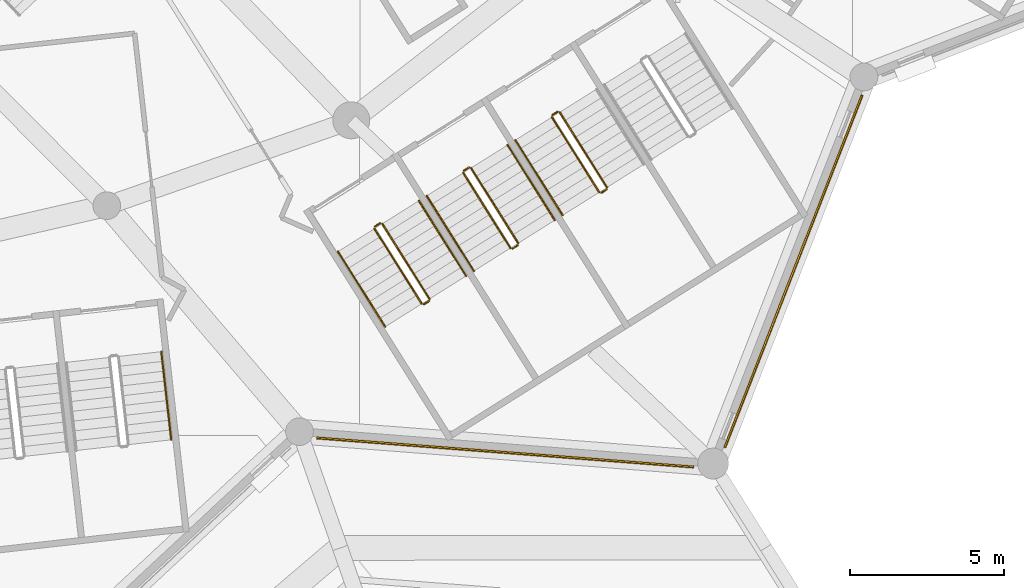
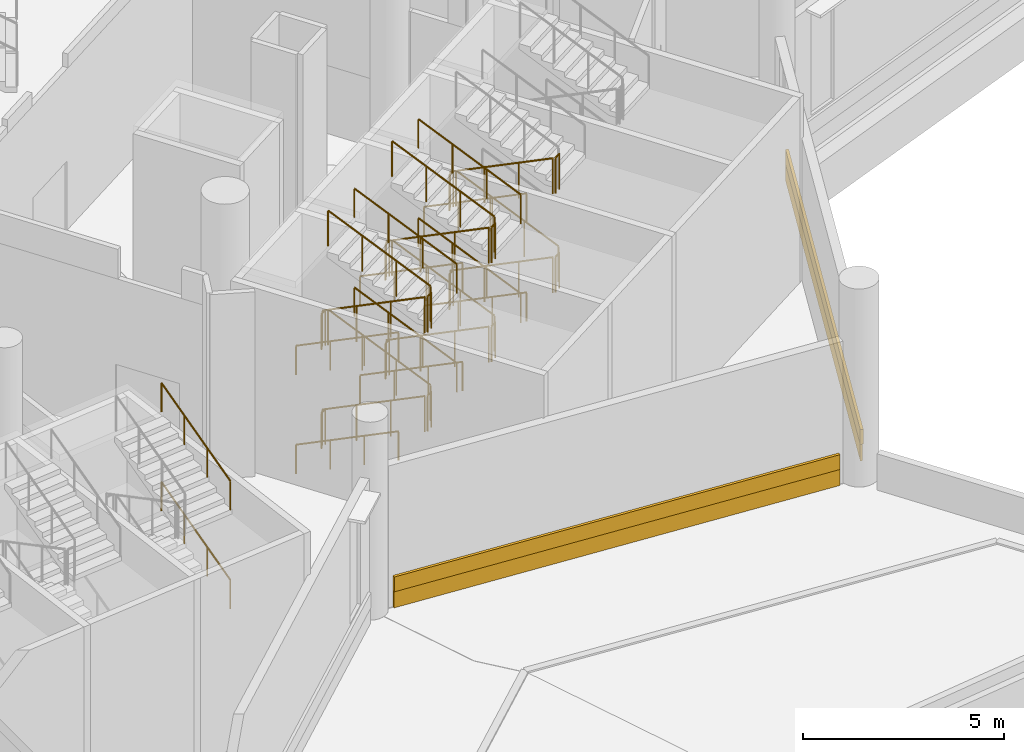
# One storey, part 131 of 173: 35 railings, 4 coverings.
"""IFC4 building model written with IfcOpenShell, lengths in metres."""

import ifcopenshell
import ifcopenshell.guid

model = None  # the IFC model being written
_history = None  # IfcOwnerHistory: only IFC2X3 demands one
_inside = {}  # id of a spatial element -> (the spatial element, [elements in it])
_under = {}  # id of a project, library or spatial element -> (it, [spatial elements below it])
_declared = {}  # id of a project -> (the project, [libraries it declares])
_typed = {}  # id of a type object -> (the type object, [elements of that type])
_made_of = {}  # id of a material, layer set ... -> (it, [elements and type objects made of it])


def new_model(schema):
    """Start an empty IFC model of exactly this schema.

    Asked for "IFC4X3", IfcOpenShell would pick the latest addendum, in which some entities
    have other attributes; the version numbers below select the first issue.
    IFC2X3 requires an IfcOwnerHistory on every rooted entity: one is made here for all.
    """
    global model, _history
    if schema == "IFC4X3":
        model = ifcopenshell.file(schema_version=(4, 3, 0, 0))
    else:
        model = ifcopenshell.file(schema=schema)
    _inside.clear()
    _under.clear()
    _declared.clear()
    _typed.clear()
    _made_of.clear()
    _history = None
    if model.schema == "IFC2X3":
        org = make("IfcOrganization", Name="unknown")
        user = make(
            "IfcPersonAndOrganization",
            ThePerson=make("IfcPerson", FamilyName="unknown"),
            TheOrganization=org,
        )
        app = make(
            "IfcApplication",
            ApplicationDeveloper=org,
            Version="unknown",
            ApplicationFullName="unknown",
            ApplicationIdentifier="unknown",
        )
        _history = make(
            "IfcOwnerHistory",
            OwningUser=user,
            OwningApplication=app,
            ChangeAction="ADDED",
            CreationDate=0,
        )
    return model


def make(cls, **values):
    """One entity of the class cls with the attributes given. An attribute that is None is left unset."""
    return model.create_entity(
        cls, **{name: value for name, value in values.items() if value is not None}
    )


def rooted(cls, **values):
    """An entity with a GlobalId (a new one), such as an element, a storey or a relation."""
    return make(cls, GlobalId=ifcopenshell.guid.new(), OwnerHistory=_history, **values)


def si_unit(unit_type, name, prefix=None):
    """IfcSIUnit, for example si_unit("LENGTHUNIT", "METRE", prefix="MILLI")."""
    return make("IfcSIUnit", UnitType=unit_type, Prefix=prefix, Name=name)


def assignment(units):
    """IfcUnitAssignment: the units of a project."""
    return None if units is None else make("IfcUnitAssignment", Units=units)


def point(xyz):
    """IfcCartesianPoint."""
    return None if xyz is None else make("IfcCartesianPoint", Coordinates=xyz)


def direction(xyz):
    """IfcDirection."""
    return None if xyz is None else make("IfcDirection", DirectionRatios=xyz)


def frame(location, z_axis=None, x_axis=None):
    """IfcAxis2Placement3D, a coordinate frame: its origin and axes. An axis left out is left unset."""
    return make(
        "IfcAxis2Placement3D",
        Location=point(location),
        Axis=direction(z_axis),
        RefDirection=direction(x_axis),
    )


def frame_2d(location, x_axis=None):
    """IfcAxis2Placement2D, a coordinate frame in the plane: its origin and x axis."""
    return make(
        "IfcAxis2Placement2D", Location=point(location), RefDirection=direction(x_axis)
    )


def origin():
    """The frame at (0, 0, 0) with its axes left unset."""
    return frame((0.0, 0.0, 0.0))


def origin_2d():
    """The frame at (0, 0) in the plane with its x axis left unset."""
    return frame_2d((0.0, 0.0))


def place(relative_to, where):
    """IfcLocalPlacement: puts the frame where relative to a parent placement (None: the world)."""
    return make(
        "IfcLocalPlacement", PlacementRelTo=relative_to, RelativePlacement=where
    )


def context(
    kind, dimensions, precision=None, world=None, true_north=None, identifier=None
):
    """IfcGeometricRepresentationContext, for example the 3D "Model" context."""
    return make(
        "IfcGeometricRepresentationContext",
        ContextIdentifier=identifier,
        ContextType=kind,
        CoordinateSpaceDimension=dimensions,
        Precision=precision,
        WorldCoordinateSystem=world,
        TrueNorth=true_north,
    )


def subcontext(parent, identifier, kind, view, scale=None):
    """IfcGeometricRepresentationSubContext, for example "Body" below "Model"."""
    return make(
        "IfcGeometricRepresentationSubContext",
        ContextIdentifier=identifier,
        ContextType=kind,
        ParentContext=parent,
        TargetScale=scale,
        TargetView=view,
    )


def project(units=None, contexts=None):
    """IfcProject with its units and contexts."""
    return rooted(
        "IfcProject",
        Name="project",
        RepresentationContexts=contexts,
        UnitsInContext=assignment(units),
    )


def spatial(cls, under=None, at=None, **own):
    """A site, building, storey or space (cls), placed at a placement, below another one or the project."""
    s = rooted(cls, ObjectPlacement=at, **own)
    if under is not None:
        _under.setdefault(under.id(), (under, []))[1].append(s)
    return s


def profile(cls, at=None, kind="AREA", **sizes):
    """A parametric profile (cls). Its sizes go by their IFC names, for example OverallWidth=200.0."""
    return make(cls, ProfileType=kind, Position=at, **sizes)


def rectangle(**sizes):
    """IfcRectangleProfileDef."""
    return profile("IfcRectangleProfileDef", **sizes)


def circle(**sizes):
    """IfcCircleProfileDef."""
    return profile("IfcCircleProfileDef", **sizes)


def extrude(swept, where, along, depth):
    """IfcExtrudedAreaSolid: the profile swept, set in the frame where, extruded along a direction by depth."""
    return make(
        "IfcExtrudedAreaSolid",
        SweptArea=swept,
        Position=where,
        ExtrudedDirection=direction(along),
        Depth=depth,
    )


def shape(context_of_items, identifier, shape_type, items):
    """IfcShapeRepresentation: the items that make up one representation, for example the "Body"."""
    return make(
        "IfcShapeRepresentation",
        ContextOfItems=context_of_items,
        RepresentationIdentifier=identifier,
        RepresentationType=shape_type,
        Items=items,
    )


def material(Name=None, Category=None):
    """IfcMaterial."""
    return make("IfcMaterial", Name=Name, Category=Category)


def layer(
    of_material, thickness, ventilated=None, Name=None, Category=None, Priority=None
):
    """IfcMaterialLayer: one layer of a wall or slab, of a material (None: an air gap)."""
    return make(
        "IfcMaterialLayer",
        Material=of_material,
        LayerThickness=thickness,
        IsVentilated=ventilated,
        Name=Name,
        Category=Category,
        Priority=Priority,
    )


def layer_set(layers, Name=None):
    """IfcMaterialLayerSet."""
    return make("IfcMaterialLayerSet", MaterialLayers=layers, LayerSetName=Name)


def made_of(thing, what):
    """Note that an element or type object is made of a material, layer set ...; save() writes the relation."""
    if what is not None:
        _made_of.setdefault(what.id(), (what, []))[1].append(thing)
    return thing


def type_object(cls, material=None, **own):
    """A type object (cls), such as IfcWallType, which elements share."""
    return made_of(rooted(cls, **own), material)


def element(
    cls,
    number,
    at=None,
    inside=None,
    cuts=None,
    type_object=None,
    material=None,
    context=None,
    identifier="Body",
    shape_type=None,
    held_by="IfcProductDefinitionShape",
    body=None,
    shapes=None,
    **own,
):
    """One element of the class cls, such as IfcWall. Its Tag is "e" and its number.

    at: its placement. inside: the storey or other place that contains it. cuts: it is an
    opening in that element (IfcRelVoidsElement). A single representation is given by context,
    identifier, shape_type and body (its items); several are given by shapes. held_by: the class
    of the entity that holds the representations. save() writes the other relations.
    """
    e = rooted(cls, Tag="e%d" % number, ObjectPlacement=at, **own)
    if body is not None:
        shapes = [shape(context, identifier, shape_type, body)]
    if shapes is not None:
        e.Representation = make(held_by, Representations=shapes)
    if inside is not None:
        _inside.setdefault(inside.id(), (inside, []))[1].append(e)
    if cuts is not None:
        rooted(
            "IfcRelVoidsElement", RelatingBuildingElement=cuts, RelatedOpeningElement=e
        )
    if type_object is not None:
        _typed.setdefault(type_object.id(), (type_object, []))[1].append(e)
    return made_of(e, material)


def aggregate(whole, parts):
    """IfcRelAggregates: a whole, such as a stair, and the parts it consists of."""
    return rooted("IfcRelAggregates", RelatingObject=whole, RelatedObjects=parts)


def save(model, path):
    """Write the relations noted so far, then the file.

    IfcRelAggregates (storeys below a building ...), IfcRelContainedInSpatialStructure (elements
    in a storey), IfcRelDefinesByType, IfcRelAssociatesMaterial and IfcRelDeclares: one each for
    every whole, place, type object, material and project.
    """
    for whole, parts in _under.values():
        aggregate(whole, parts)
    for where, things in _inside.values():
        rooted(
            "IfcRelContainedInSpatialStructure",
            RelatedElements=things,
            RelatingStructure=where,
        )
    for kind, things in _typed.values():
        rooted("IfcRelDefinesByType", RelatedObjects=things, RelatingType=kind)
    for what, things in _made_of.values():
        rooted("IfcRelAssociatesMaterial", RelatedObjects=things, RelatingMaterial=what)
    for by, libraries in _declared.values():
        rooted("IfcRelDeclares", RelatingContext=by, RelatedDefinitions=libraries)
    model.write(path)


model = new_model("IFC4")

# Units and contexts
model_context = context("Model", 3, precision=1e-05, world=origin(), true_north=direction((0.0, 1.0)))
body_context = subcontext(model_context, "Body", "Model", "MODEL_VIEW")
ifc_project = project(units=[si_unit("LENGTHUNIT", "METRE"), si_unit("AREAUNIT", "SQUARE_METRE"), si_unit("VOLUMEUNIT", "CUBIC_METRE"), si_unit("PLANEANGLEUNIT", "RADIAN"), si_unit("MASSUNIT", "GRAM", prefix="KILO")], contexts=[model_context])

# Site, building, storey
site_placement = place(None, origin())
site = spatial("IfcSite", under=ifc_project, at=site_placement, CompositionType="ELEMENT")
building_placement = place(site_placement, origin())
building = spatial("IfcBuilding", under=site, at=building_placement, Name="Meseta Stadium", CompositionType="ELEMENT")
storey_placement = place(building_placement, frame((0.0, 0.0, 18.0)))
storey = spatial("IfcBuildingStorey", under=building, at=storey_placement, Name="L03", CompositionType="ELEMENT", Elevation=18.0)

# Coverings
ifc_material_1 = material(Name="Guadarrama granite cladding", Category="masonry")
ifc_layer_1 = layer(ifc_material_1, 0.06005859375)
ifc_layer_set_1 = layer_set([ifc_layer_1], Name="Granite plinth cladding 60")
covering_type_1 = type_object("IfcCoveringType", Name="Granite plinth cladding 60", PredefinedType="CLADDING", material=ifc_layer_set_1)
for number, where, z_axis, x_axis, name in (
    (1, (68.726318359375, -96.543212890625, 0.0), (0.0, 0.0, 1.0), (-0.997035991003, 0.076936549466, 0.0), "Granite plinth L03 F51"),
    (2, (78.073486328125, -90.669921875, 0.0), (0.0, 0.0, 1.0), (-0.363280500237, -0.931679815252, 0.0), "Granite plinth L03 F52"),
):
    element("IfcCovering", number, at=place(storey_placement, frame(where, z_axis=z_axis, x_axis=x_axis)), inside=storey, type_object=covering_type_1, Name=name, PredefinedType="CLADDING", context=body_context, shape_type="SweptSolid", body=[
        extrude(rectangle(XDim=12.273681640625, YDim=0.06005859375, at=origin_2d()), origin(), (0.0, 0.0, 1.0), 0.5),
    ])

# Railings
ifc_material_2 = material(Name="Steel S355", Category="steel")
railing_type_1 = type_object("IfcRailingType", Name="Stair guard 1100", PredefinedType="GUARDRAIL", material=ifc_material_2)
railing_1_placement = place(storey_placement, frame((64.4853515625, -89.286865234375, 0.14990234375)))
element("IfcRailing", 3, at=railing_1_placement, inside=storey, type_object=railing_type_1, Name="ST105 L03 guard 1", PredefinedType="GUARDRAIL", context=body_context, shape_type="SweptSolid", body=[
    extrude(circle(Radius=0.02392578125, at=origin_2d()), frame((0.0, 0.0, 1.076171875), z_axis=(0.481702688975, -0.766687087345, 0.424444848635), x_axis=(0.84674347122, 0.532001404082, 0.0)), (0.0, 0.0, 1.0), 3.180908203125),
    extrude(circle(Radius=0.02099609375, at=origin_2d()), origin(), (0.0, 0.0, 1.0), 1.052001953125),
    extrude(circle(Radius=0.02099609375, at=origin_2d()), frame((0.5107421875, -0.81298828125, 0.449951171875)), (0.0, 0.0, 1.0), 1.052001953125),
    extrude(circle(Radius=0.02099609375, at=origin_2d()), frame((1.021484375, -1.625732421875, 0.900146484375)), (0.0, 0.0, 1.0), 1.052001953125),
    extrude(circle(Radius=0.02099609375, at=origin_2d()), frame((1.5322265625, -2.438720703125, 1.35009765625)), (0.0, 0.0, 1.0), 1.052001953125),
])
railing_2_placement = place(storey_placement, frame((66.08642578125, -91.7412109375, 1.5)))
element("IfcRailing", 4, at=railing_2_placement, inside=storey, type_object=railing_type_1, Name="ST105 L03 guard 2", PredefinedType="GUARDRAIL", context=body_context, shape_type="SweptSolid", body=[
    extrude(circle(Radius=0.02392578125, at=origin_2d()), frame((0.0, 0.0, 1.076171875), z_axis=(0.846762178531, 0.531971628011, 0.0), x_axis=(-0.531971628011, 0.846762178531, 0.0)), (0.0, 0.0, 1.0), 0.2001953125),
    extrude(circle(Radius=0.02099609375, at=origin_2d()), origin(), (0.0, 0.0, 1.0), 1.052001953125),
    extrude(circle(Radius=0.02099609375, at=origin_2d()), frame((0.16943359375, 0.1064453125, 0.0)), (0.0, 0.0, 1.0), 1.052001953125),
])
railing_3_placement = place(storey_placement, frame((66.271484375, -91.56591796875, 1.64990234375)))
element("IfcRailing", 5, at=railing_3_placement, inside=storey, type_object=railing_type_1, Name="ST105 L03 guard 3", PredefinedType="GUARDRAIL", context=body_context, shape_type="SweptSolid", body=[
    extrude(circle(Radius=0.02392578125, at=origin_2d()), frame((0.0, 0.0, 1.076171875), z_axis=(-0.481731036161, 0.766655447606, 0.424469826318), x_axis=(-0.846719477248, -0.53203959143, 0.0)), (0.0, 0.0, 1.0), 3.1806640625),
    extrude(circle(Radius=0.02099609375, at=origin_2d()), origin(), (0.0, 0.0, 1.0), 1.052001953125),
    extrude(circle(Radius=0.02099609375, at=origin_2d()), frame((-0.5107421875, 0.812744140625, 0.449951171875)), (0.0, 0.0, 1.0), 1.052001953125),
    extrude(circle(Radius=0.02099609375, at=origin_2d()), frame((-1.021484375, 1.625732421875, 0.900146484375)), (0.0, 0.0, 1.0), 1.052001953125),
    extrude(circle(Radius=0.02099609375, at=origin_2d()), frame((-1.5322265625, 2.4384765625, 1.35009765625)), (0.0, 0.0, 1.0), 1.052001953125),
])
railing_4_placement = place(storey_placement, frame((64.5009765625, -89.218017578125, 3.0)))
element("IfcRailing", 6, at=railing_4_placement, inside=storey, type_object=railing_type_1, Name="ST105 L03 guard 4", PredefinedType="GUARDRAIL", context=body_context, shape_type="SweptSolid", body=[
    extrude(circle(Radius=0.02392578125, at=origin_2d()), frame((0.0, 0.0, 1.076171875), z_axis=(0.846762178531, 0.531971628011, 0.0), x_axis=(-0.531971628011, 0.846762178531, 0.0)), (0.0, 0.0, 1.0), 0.2001953125),
    extrude(circle(Radius=0.02099609375, at=origin_2d()), origin(), (0.0, 0.0, 1.0), 1.052001953125),
    extrude(circle(Radius=0.02099609375, at=origin_2d()), frame((0.16943359375, 0.1064453125, 0.0)), (0.0, 0.0, 1.0), 1.052001953125),
])
railing_5_placement = place(storey_placement, frame((64.4853515625, -89.286865234375, 3.14990234375)))
element("IfcRailing", 7, at=railing_5_placement, inside=storey, type_object=railing_type_1, Name="ST105 L03 guard 5", PredefinedType="GUARDRAIL", context=body_context, shape_type="SweptSolid", body=[
    extrude(circle(Radius=0.02392578125, at=origin_2d()), frame((0.0, 0.0, 1.076171875), z_axis=(0.481702688975, -0.766687087345, 0.424444848635), x_axis=(0.84674347122, 0.532001404082, 0.0)), (0.0, 0.0, 1.0), 3.180908203125),
    extrude(circle(Radius=0.02099609375, at=origin_2d()), origin(), (0.0, 0.0, 1.0), 1.052001953125),
    extrude(circle(Radius=0.02099609375, at=origin_2d()), frame((0.5107421875, -0.81298828125, 0.449951171875)), (0.0, 0.0, 1.0), 1.052001953125),
    extrude(circle(Radius=0.02099609375, at=origin_2d()), frame((1.021484375, -1.625732421875, 0.900146484375)), (0.0, 0.0, 1.0), 1.052001953125),
    extrude(circle(Radius=0.02099609375, at=origin_2d()), frame((1.5322265625, -2.438720703125, 1.35009765625)), (0.0, 0.0, 1.0), 1.052001953125),
])
railing_6_placement = place(storey_placement, frame((66.08642578125, -91.7412109375, 4.5)))
element("IfcRailing", 8, at=railing_6_placement, inside=storey, type_object=railing_type_1, Name="ST105 L03 guard 6", PredefinedType="GUARDRAIL", context=body_context, shape_type="SweptSolid", body=[
    extrude(circle(Radius=0.02392578125, at=origin_2d()), frame((0.0, 0.0, 1.076171875), z_axis=(0.846762178531, 0.531971628011, 0.0), x_axis=(-0.531971628011, 0.846762178531, 0.0)), (0.0, 0.0, 1.0), 0.2001953125),
    extrude(circle(Radius=0.02099609375, at=origin_2d()), origin(), (0.0, 0.0, 1.0), 1.052001953125),
    extrude(circle(Radius=0.02099609375, at=origin_2d()), frame((0.16943359375, 0.1064453125, 0.0)), (0.0, 0.0, 1.0), 1.052001953125),
])
railing_7_placement = place(storey_placement, frame((66.271484375, -91.56591796875, 4.64990234375)))
element("IfcRailing", 9, at=railing_7_placement, inside=storey, type_object=railing_type_1, Name="ST105 L03 guard 7", PredefinedType="GUARDRAIL", context=body_context, shape_type="SweptSolid", body=[
    extrude(circle(Radius=0.02392578125, at=origin_2d()), frame((0.0, 0.0, 1.076171875), z_axis=(-0.481731036161, 0.766655447606, 0.424469826318), x_axis=(-0.846719477248, -0.53203959143, 0.0)), (0.0, 0.0, 1.0), 3.1806640625),
    extrude(circle(Radius=0.02099609375, at=origin_2d()), origin(), (0.0, 0.0, 1.0), 1.052001953125),
    extrude(circle(Radius=0.02099609375, at=origin_2d()), frame((-0.5107421875, 0.812744140625, 0.449951171875)), (0.0, 0.0, 1.0), 1.052001953125),
    extrude(circle(Radius=0.02099609375, at=origin_2d()), frame((-1.021484375, 1.625732421875, 0.900146484375)), (0.0, 0.0, 1.0), 1.052001953125),
    extrude(circle(Radius=0.02099609375, at=origin_2d()), frame((-1.5322265625, 2.4384765625, 1.35009765625)), (0.0, 0.0, 1.0), 1.052001953125),
])
railing_8_placement = place(storey_placement, frame((64.5009765625, -89.218017578125, 0.0)))
element("IfcRailing", 10, at=railing_8_placement, inside=storey, type_object=railing_type_1, Name="ST105 L03 guard 8", PredefinedType="GUARDRAIL", context=body_context, shape_type="SweptSolid", body=[
    extrude(circle(Radius=0.02392578125, at=origin_2d()), frame((0.0, 0.0, 1.076171875), z_axis=(0.846762178531, 0.531971628011, 0.0), x_axis=(-0.531971628011, 0.846762178531, 0.0)), (0.0, 0.0, 1.0), 0.2001953125),
    extrude(circle(Radius=0.02099609375, at=origin_2d()), origin(), (0.0, 0.0, 1.0), 1.052001953125),
    extrude(circle(Radius=0.02099609375, at=origin_2d()), frame((0.16943359375, 0.1064453125, 0.0)), (0.0, 0.0, 1.0), 1.052001953125),
])
railing_9_placement = place(storey_placement, frame((67.3642578125, -87.47802734375, 0.14990234375)))
element("IfcRailing", 11, at=railing_9_placement, inside=storey, type_object=railing_type_1, Name="ST106 L03 guard 1", PredefinedType="GUARDRAIL", context=body_context, shape_type="SweptSolid", body=[
    extrude(circle(Radius=0.02392578125, at=origin_2d()), frame((0.0, 0.0, 1.076171875), z_axis=(0.481702688975, -0.766687087345, 0.424444848635), x_axis=(0.84674347122, 0.532001404082, 0.0)), (0.0, 0.0, 1.0), 3.180908203125),
    extrude(circle(Radius=0.02099609375, at=origin_2d()), origin(), (0.0, 0.0, 1.0), 1.052001953125),
    extrude(circle(Radius=0.02099609375, at=origin_2d()), frame((0.5107421875, -0.81298828125, 0.449951171875)), (0.0, 0.0, 1.0), 1.052001953125),
    extrude(circle(Radius=0.02099609375, at=origin_2d()), frame((1.021484375, -1.625732421875, 0.900146484375)), (0.0, 0.0, 1.0), 1.052001953125),
    extrude(circle(Radius=0.02099609375, at=origin_2d()), frame((1.5322265625, -2.438720703125, 1.35009765625)), (0.0, 0.0, 1.0), 1.052001953125),
])
railing_10_placement = place(storey_placement, frame((68.96533203125, -89.932373046875, 1.5)))
element("IfcRailing", 12, at=railing_10_placement, inside=storey, type_object=railing_type_1, Name="ST106 L03 guard 2", PredefinedType="GUARDRAIL", context=body_context, shape_type="SweptSolid", body=[
    extrude(circle(Radius=0.02392578125, at=origin_2d()), frame((0.0, 0.0, 1.076171875), z_axis=(0.846762178531, 0.531971628011, 0.0), x_axis=(-0.531971628011, 0.846762178531, 0.0)), (0.0, 0.0, 1.0), 0.2001953125),
    extrude(circle(Radius=0.02099609375, at=origin_2d()), origin(), (0.0, 0.0, 1.0), 1.052001953125),
    extrude(circle(Radius=0.02099609375, at=origin_2d()), frame((0.16943359375, 0.1064453125, 0.0)), (0.0, 0.0, 1.0), 1.052001953125),
])
railing_11_placement = place(storey_placement, frame((69.150390625, -89.757080078125, 1.64990234375)))
element("IfcRailing", 13, at=railing_11_placement, inside=storey, type_object=railing_type_1, Name="ST106 L03 guard 3", PredefinedType="GUARDRAIL", context=body_context, shape_type="SweptSolid", body=[
    extrude(circle(Radius=0.02392578125, at=origin_2d()), frame((0.0, 0.0, 1.076171875), z_axis=(-0.481702688975, 0.766687087345, 0.424444848635), x_axis=(-0.84674347122, -0.532001404082, 0.0)), (0.0, 0.0, 1.0), 3.180908203125),
    extrude(circle(Radius=0.02099609375, at=origin_2d()), origin(), (0.0, 0.0, 1.0), 1.052001953125),
    extrude(circle(Radius=0.02099609375, at=origin_2d()), frame((-0.5107421875, 0.81298828125, 0.449951171875)), (0.0, 0.0, 1.0), 1.052001953125),
    extrude(circle(Radius=0.02099609375, at=origin_2d()), frame((-1.021484375, 1.625732421875, 0.900146484375)), (0.0, 0.0, 1.0), 1.052001953125),
    extrude(circle(Radius=0.02099609375, at=origin_2d()), frame((-1.5322265625, 2.438720703125, 1.35009765625)), (0.0, 0.0, 1.0), 1.052001953125),
])
railing_12_placement = place(storey_placement, frame((67.3798828125, -87.4091796875, 3.0)))
element("IfcRailing", 14, at=railing_12_placement, inside=storey, type_object=railing_type_1, Name="ST106 L03 guard 4", PredefinedType="GUARDRAIL", context=body_context, shape_type="SweptSolid", body=[
    extrude(circle(Radius=0.02392578125, at=origin_2d()), frame((0.0, 0.0, 1.076171875), z_axis=(0.846762178531, 0.531971628011, 0.0), x_axis=(-0.531971628011, 0.846762178531, 0.0)), (0.0, 0.0, 1.0), 0.2001953125),
    extrude(circle(Radius=0.02099609375, at=origin_2d()), origin(), (0.0, 0.0, 1.0), 1.052001953125),
    extrude(circle(Radius=0.02099609375, at=origin_2d()), frame((0.16943359375, 0.1064453125, 0.0)), (0.0, 0.0, 1.0), 1.052001953125),
])
railing_13_placement = place(storey_placement, frame((67.3642578125, -87.47802734375, 3.14990234375)))
element("IfcRailing", 15, at=railing_13_placement, inside=storey, type_object=railing_type_1, Name="ST106 L03 guard 5", PredefinedType="GUARDRAIL", context=body_context, shape_type="SweptSolid", body=[
    extrude(circle(Radius=0.02392578125, at=origin_2d()), frame((0.0, 0.0, 1.076171875), z_axis=(0.481702688975, -0.766687087345, 0.424444848635), x_axis=(0.84674347122, 0.532001404082, 0.0)), (0.0, 0.0, 1.0), 3.180908203125),
    extrude(circle(Radius=0.02099609375, at=origin_2d()), origin(), (0.0, 0.0, 1.0), 1.052001953125),
    extrude(circle(Radius=0.02099609375, at=origin_2d()), frame((0.5107421875, -0.81298828125, 0.449951171875)), (0.0, 0.0, 1.0), 1.052001953125),
    extrude(circle(Radius=0.02099609375, at=origin_2d()), frame((1.021484375, -1.625732421875, 0.900146484375)), (0.0, 0.0, 1.0), 1.052001953125),
    extrude(circle(Radius=0.02099609375, at=origin_2d()), frame((1.5322265625, -2.438720703125, 1.35009765625)), (0.0, 0.0, 1.0), 1.052001953125),
])
railing_14_placement = place(storey_placement, frame((68.96533203125, -89.932373046875, 4.5)))
element("IfcRailing", 16, at=railing_14_placement, inside=storey, type_object=railing_type_1, Name="ST106 L03 guard 6", PredefinedType="GUARDRAIL", context=body_context, shape_type="SweptSolid", body=[
    extrude(circle(Radius=0.02392578125, at=origin_2d()), frame((0.0, 0.0, 1.076171875), z_axis=(0.846762178531, 0.531971628011, 0.0), x_axis=(-0.531971628011, 0.846762178531, 0.0)), (0.0, 0.0, 1.0), 0.2001953125),
    extrude(circle(Radius=0.02099609375, at=origin_2d()), origin(), (0.0, 0.0, 1.0), 1.052001953125),
    extrude(circle(Radius=0.02099609375, at=origin_2d()), frame((0.16943359375, 0.1064453125, 0.0)), (0.0, 0.0, 1.0), 1.052001953125),
])
railing_15_placement = place(storey_placement, frame((69.150390625, -89.757080078125, 4.64990234375)))
element("IfcRailing", 17, at=railing_15_placement, inside=storey, type_object=railing_type_1, Name="ST106 L03 guard 7", PredefinedType="GUARDRAIL", context=body_context, shape_type="SweptSolid", body=[
    extrude(circle(Radius=0.02392578125, at=origin_2d()), frame((0.0, 0.0, 1.076171875), z_axis=(-0.481702688975, 0.766687087345, 0.424444848635), x_axis=(-0.84674347122, -0.532001404082, 0.0)), (0.0, 0.0, 1.0), 3.180908203125),
    extrude(circle(Radius=0.02099609375, at=origin_2d()), origin(), (0.0, 0.0, 1.0), 1.052001953125),
    extrude(circle(Radius=0.02099609375, at=origin_2d()), frame((-0.5107421875, 0.81298828125, 0.449951171875)), (0.0, 0.0, 1.0), 1.052001953125),
    extrude(circle(Radius=0.02099609375, at=origin_2d()), frame((-1.021484375, 1.625732421875, 0.900146484375)), (0.0, 0.0, 1.0), 1.052001953125),
    extrude(circle(Radius=0.02099609375, at=origin_2d()), frame((-1.5322265625, 2.438720703125, 1.35009765625)), (0.0, 0.0, 1.0), 1.052001953125),
])
railing_16_placement = place(storey_placement, frame((67.3798828125, -87.4091796875, 0.0)))
element("IfcRailing", 18, at=railing_16_placement, inside=storey, type_object=railing_type_1, Name="ST106 L03 guard 8", PredefinedType="GUARDRAIL", context=body_context, shape_type="SweptSolid", body=[
    extrude(circle(Radius=0.02392578125, at=origin_2d()), frame((0.0, 0.0, 1.076171875), z_axis=(0.846762178531, 0.531971628011, 0.0), x_axis=(-0.531971628011, 0.846762178531, 0.0)), (0.0, 0.0, 1.0), 0.2001953125),
    extrude(circle(Radius=0.02099609375, at=origin_2d()), origin(), (0.0, 0.0, 1.0), 1.052001953125),
    extrude(circle(Radius=0.02099609375, at=origin_2d()), frame((0.16943359375, 0.1064453125, 0.0)), (0.0, 0.0, 1.0), 1.052001953125),
])
railing_17_placement = place(storey_placement, frame((70.242919921875, -85.669189453125, 0.14990234375)))
element("IfcRailing", 19, at=railing_17_placement, inside=storey, type_object=railing_type_1, Name="ST107 L03 guard 1", PredefinedType="GUARDRAIL", context=body_context, shape_type="SweptSolid", body=[
    extrude(circle(Radius=0.02392578125, at=origin_2d()), frame((0.0, 0.0, 1.076171875), z_axis=(0.481731036161, -0.766655447606, 0.424469826318), x_axis=(0.846719477248, 0.53203959143, 0.0)), (0.0, 0.0, 1.0), 3.1806640625),
    extrude(circle(Radius=0.02099609375, at=origin_2d()), origin(), (0.0, 0.0, 1.0), 1.052001953125),
    extrude(circle(Radius=0.02099609375, at=origin_2d()), frame((0.5107421875, -0.812744140625, 0.449951171875)), (0.0, 0.0, 1.0), 1.052001953125),
    extrude(circle(Radius=0.02099609375, at=origin_2d()), frame((1.021484375, -1.625732421875, 0.900146484375)), (0.0, 0.0, 1.0), 1.052001953125),
    extrude(circle(Radius=0.02099609375, at=origin_2d()), frame((1.5322265625, -2.4384765625, 1.35009765625)), (0.0, 0.0, 1.0), 1.052001953125),
])
railing_18_placement = place(storey_placement, frame((71.84423828125, -88.12353515625, 1.5)))
element("IfcRailing", 20, at=railing_18_placement, inside=storey, type_object=railing_type_1, Name="ST107 L03 guard 2", PredefinedType="GUARDRAIL", context=body_context, shape_type="SweptSolid", body=[
    extrude(circle(Radius=0.02392578125, at=origin_2d()), frame((0.0, 0.0, 1.076171875), z_axis=(0.846416356806, 0.532521690573, 0.0), x_axis=(-0.532521690573, 0.846416356806, 0.0)), (0.0, 0.0, 1.0), 0.199951171875),
    extrude(circle(Radius=0.02099609375, at=origin_2d()), origin(), (0.0, 0.0, 1.0), 1.052001953125),
    extrude(circle(Radius=0.02099609375, at=origin_2d()), frame((0.169189453125, 0.1064453125, 0.0)), (0.0, 0.0, 1.0), 1.052001953125),
])
railing_19_placement = place(storey_placement, frame((72.029296875, -87.947998046875, 1.64990234375)))
element("IfcRailing", 21, at=railing_19_placement, inside=storey, type_object=railing_type_1, Name="ST107 L03 guard 3", PredefinedType="GUARDRAIL", context=body_context, shape_type="SweptSolid", body=[
    extrude(circle(Radius=0.02392578125, at=origin_2d()), frame((0.0, 0.0, 1.076171875), z_axis=(-0.481731036161, 0.766655447606, 0.424469826318), x_axis=(-0.846719477248, -0.53203959143, 0.0)), (0.0, 0.0, 1.0), 3.1806640625),
    extrude(circle(Radius=0.02099609375, at=origin_2d()), origin(), (0.0, 0.0, 1.0), 1.052001953125),
    extrude(circle(Radius=0.02099609375, at=origin_2d()), frame((-0.5107421875, 0.812744140625, 0.449951171875)), (0.0, 0.0, 1.0), 1.052001953125),
    extrude(circle(Radius=0.02099609375, at=origin_2d()), frame((-1.021484375, 1.625732421875, 0.900146484375)), (0.0, 0.0, 1.0), 1.052001953125),
    extrude(circle(Radius=0.02099609375, at=origin_2d()), frame((-1.5322265625, 2.4384765625, 1.35009765625)), (0.0, 0.0, 1.0), 1.052001953125),
])
railing_20_placement = place(storey_placement, frame((70.2587890625, -85.600341796875, 3.0)))
element("IfcRailing", 22, at=railing_20_placement, inside=storey, type_object=railing_type_1, Name="ST107 L03 guard 4", PredefinedType="GUARDRAIL", context=body_context, shape_type="SweptSolid", body=[
    extrude(circle(Radius=0.02392578125, at=origin_2d()), frame((0.0, 0.0, 1.076171875), z_axis=(0.846416356806, 0.532521690573, 0.0), x_axis=(-0.532521690573, 0.846416356806, 0.0)), (0.0, 0.0, 1.0), 0.199951171875),
    extrude(circle(Radius=0.02099609375, at=origin_2d()), origin(), (0.0, 0.0, 1.0), 1.052001953125),
    extrude(circle(Radius=0.02099609375, at=origin_2d()), frame((0.169189453125, 0.1064453125, 0.0)), (0.0, 0.0, 1.0), 1.052001953125),
])
railing_21_placement = place(storey_placement, frame((70.242919921875, -85.669189453125, 3.14990234375)))
element("IfcRailing", 23, at=railing_21_placement, inside=storey, type_object=railing_type_1, Name="ST107 L03 guard 5", PredefinedType="GUARDRAIL", context=body_context, shape_type="SweptSolid", body=[
    extrude(circle(Radius=0.02392578125, at=origin_2d()), frame((0.0, 0.0, 1.076171875), z_axis=(0.481731036161, -0.766655447606, 0.424469826318), x_axis=(0.846719477248, 0.53203959143, 0.0)), (0.0, 0.0, 1.0), 3.1806640625),
    extrude(circle(Radius=0.02099609375, at=origin_2d()), origin(), (0.0, 0.0, 1.0), 1.052001953125),
    extrude(circle(Radius=0.02099609375, at=origin_2d()), frame((0.5107421875, -0.812744140625, 0.449951171875)), (0.0, 0.0, 1.0), 1.052001953125),
    extrude(circle(Radius=0.02099609375, at=origin_2d()), frame((1.021484375, -1.625732421875, 0.900146484375)), (0.0, 0.0, 1.0), 1.052001953125),
    extrude(circle(Radius=0.02099609375, at=origin_2d()), frame((1.5322265625, -2.4384765625, 1.35009765625)), (0.0, 0.0, 1.0), 1.052001953125),
])
for number, where, name in (
    (24, (71.84423828125, -88.12353515625, 4.5), "ST107 L03 guard 6"),
    (25, (70.2587890625, -85.600341796875, 0.0), "ST107 L03 guard 8"),
):
    element("IfcRailing", number, at=place(storey_placement, frame(where)), inside=storey, type_object=railing_type_1, Name=name, PredefinedType="GUARDRAIL", context=body_context, shape_type="SweptSolid", body=[
        extrude(circle(Radius=0.02392578125, at=origin_2d()), frame((0.0, 0.0, 1.076171875), z_axis=(0.846416356806, 0.532521690573, 0.0), x_axis=(-0.532521690573, 0.846416356806, 0.0)), (0.0, 0.0, 1.0), 0.199951171875),
        extrude(circle(Radius=0.02099609375, at=origin_2d()), origin(), (0.0, 0.0, 1.0), 1.052001953125),
        extrude(circle(Radius=0.02099609375, at=origin_2d()), frame((0.169189453125, 0.1064453125, 0.0)), (0.0, 0.0, 1.0), 1.052001953125),
    ])
ifc_material_3 = material(Name="Steel S355", Category="steel")
railing_type_2 = type_object("IfcRailingType", Name="Stair handrail 900", PredefinedType="HANDRAIL", material=ifc_material_3)
for number, where, name in (
    (26, (57.890625, -96.138671875, 1.64990234375), "ST104 L03 handrail 2"),
    (27, (57.890625, -96.138671875, 4.64990234375), "ST104 L03 handrail 4"),
):
    element("IfcRailing", number, at=place(storey_placement, frame(where)), inside=storey, type_object=railing_type_2, Name=name, PredefinedType="HANDRAIL", context=body_context, shape_type="SweptSolid", body=[
        extrude(circle(Radius=0.02392578125, at=origin_2d()), frame((0.0, 0.0, 0.8759765625), z_axis=(-0.10139626197, 0.899747905232, 0.424467319223), x_axis=(-0.993709872468, -0.111985219376, 0.0)), (0.0, 0.0, 1.0), 3.1806640625),
        extrude(circle(Radius=0.02099609375, at=origin_2d()), origin(), (0.0, 0.0, 1.0), 0.851806640625),
        extrude(circle(Radius=0.02099609375, at=origin_2d()), frame((-0.107421875, 0.953857421875, 0.449951171875)), (0.0, 0.0, 1.0), 0.851806640625),
        extrude(circle(Radius=0.02099609375, at=origin_2d()), frame((-0.215087890625, 1.907958984375, 0.900146484375)), (0.0, 0.0, 1.0), 0.851806640625),
        extrude(circle(Radius=0.02099609375, at=origin_2d()), frame((-0.322509765625, 2.86181640625, 1.35009765625)), (0.0, 0.0, 1.0), 0.851806640625),
    ])
railing_22_placement = place(storey_placement, frame((63.2998046875, -90.03173828125, 0.14990234375)))
element("IfcRailing", 28, at=railing_22_placement, inside=storey, type_object=railing_type_2, Name="ST105 L03 handrail 1", PredefinedType="HANDRAIL", context=body_context, shape_type="SweptSolid", body=[
    extrude(circle(Radius=0.02392578125, at=origin_2d()), frame((0.0, 0.0, 0.8759765625), z_axis=(0.481702688975, -0.766687087345, 0.424444848635), x_axis=(0.84674347122, 0.532001404082, 0.0)), (0.0, 0.0, 1.0), 3.180908203125),
    extrude(circle(Radius=0.02099609375, at=origin_2d()), origin(), (0.0, 0.0, 1.0), 0.851806640625),
    extrude(circle(Radius=0.02099609375, at=origin_2d()), frame((0.5107421875, -0.81298828125, 0.449951171875)), (0.0, 0.0, 1.0), 0.851806640625),
    extrude(circle(Radius=0.02099609375, at=origin_2d()), frame((1.021484375, -1.625732421875, 0.900146484375)), (0.0, 0.0, 1.0), 0.851806640625),
    extrude(circle(Radius=0.02099609375, at=origin_2d()), frame((1.5322265625, -2.438720703125, 1.35009765625)), (0.0, 0.0, 1.0), 0.851806640625),
])
railing_23_placement = place(storey_placement, frame((67.45703125, -90.821044921875, 1.64990234375)))
element("IfcRailing", 29, at=railing_23_placement, inside=storey, type_object=railing_type_2, Name="ST105 L03 handrail 2", PredefinedType="HANDRAIL", context=body_context, shape_type="SweptSolid", body=[
    extrude(circle(Radius=0.02392578125, at=origin_2d()), frame((0.0, 0.0, 0.8759765625), z_axis=(-0.481731036161, 0.766655447606, 0.424469826318), x_axis=(-0.846719477248, -0.53203959143, 0.0)), (0.0, 0.0, 1.0), 3.1806640625),
    extrude(circle(Radius=0.02099609375, at=origin_2d()), origin(), (0.0, 0.0, 1.0), 0.851806640625),
    extrude(circle(Radius=0.02099609375, at=origin_2d()), frame((-0.5107421875, 0.812744140625, 0.449951171875)), (0.0, 0.0, 1.0), 0.851806640625),
    extrude(circle(Radius=0.02099609375, at=origin_2d()), frame((-1.021484375, 1.625732421875, 0.900146484375)), (0.0, 0.0, 1.0), 0.851806640625),
    extrude(circle(Radius=0.02099609375, at=origin_2d()), frame((-1.5322265625, 2.4384765625, 1.35009765625)), (0.0, 0.0, 1.0), 0.851806640625),
])
railing_24_placement = place(storey_placement, frame((63.2998046875, -90.03173828125, 3.14990234375)))
element("IfcRailing", 30, at=railing_24_placement, inside=storey, type_object=railing_type_2, Name="ST105 L03 handrail 3", PredefinedType="HANDRAIL", context=body_context, shape_type="SweptSolid", body=[
    extrude(circle(Radius=0.02392578125, at=origin_2d()), frame((0.0, 0.0, 0.8759765625), z_axis=(0.481702688975, -0.766687087345, 0.424444848635), x_axis=(0.84674347122, 0.532001404082, 0.0)), (0.0, 0.0, 1.0), 3.180908203125),
    extrude(circle(Radius=0.02099609375, at=origin_2d()), origin(), (0.0, 0.0, 1.0), 0.851806640625),
    extrude(circle(Radius=0.02099609375, at=origin_2d()), frame((0.5107421875, -0.81298828125, 0.449951171875)), (0.0, 0.0, 1.0), 0.851806640625),
    extrude(circle(Radius=0.02099609375, at=origin_2d()), frame((1.021484375, -1.625732421875, 0.900146484375)), (0.0, 0.0, 1.0), 0.851806640625),
    extrude(circle(Radius=0.02099609375, at=origin_2d()), frame((1.5322265625, -2.438720703125, 1.35009765625)), (0.0, 0.0, 1.0), 0.851806640625),
])
railing_25_placement = place(storey_placement, frame((67.45703125, -90.821044921875, 4.64990234375)))
element("IfcRailing", 31, at=railing_25_placement, inside=storey, type_object=railing_type_2, Name="ST105 L03 handrail 4", PredefinedType="HANDRAIL", context=body_context, shape_type="SweptSolid", body=[
    extrude(circle(Radius=0.02392578125, at=origin_2d()), frame((0.0, 0.0, 0.8759765625), z_axis=(-0.481731036161, 0.766655447606, 0.424469826318), x_axis=(-0.846719477248, -0.53203959143, 0.0)), (0.0, 0.0, 1.0), 3.1806640625),
    extrude(circle(Radius=0.02099609375, at=origin_2d()), origin(), (0.0, 0.0, 1.0), 0.851806640625),
    extrude(circle(Radius=0.02099609375, at=origin_2d()), frame((-0.5107421875, 0.812744140625, 0.449951171875)), (0.0, 0.0, 1.0), 0.851806640625),
    extrude(circle(Radius=0.02099609375, at=origin_2d()), frame((-1.021484375, 1.625732421875, 0.900146484375)), (0.0, 0.0, 1.0), 0.851806640625),
    extrude(circle(Radius=0.02099609375, at=origin_2d()), frame((-1.5322265625, 2.4384765625, 1.35009765625)), (0.0, 0.0, 1.0), 0.851806640625),
])
railing_26_placement = place(storey_placement, frame((66.1787109375, -88.222900390625, 0.14990234375)))
element("IfcRailing", 32, at=railing_26_placement, inside=storey, type_object=railing_type_2, Name="ST106 L03 handrail 1", PredefinedType="HANDRAIL", context=body_context, shape_type="SweptSolid", body=[
    extrude(circle(Radius=0.02392578125, at=origin_2d()), frame((0.0, 0.0, 0.8759765625), z_axis=(0.481731036161, -0.766655447606, 0.424469826318), x_axis=(0.846719477248, 0.53203959143, 0.0)), (0.0, 0.0, 1.0), 3.1806640625),
    extrude(circle(Radius=0.02099609375, at=origin_2d()), origin(), (0.0, 0.0, 1.0), 0.851806640625),
    extrude(circle(Radius=0.02099609375, at=origin_2d()), frame((0.5107421875, -0.812744140625, 0.449951171875)), (0.0, 0.0, 1.0), 0.851806640625),
    extrude(circle(Radius=0.02099609375, at=origin_2d()), frame((1.021484375, -1.625732421875, 0.900146484375)), (0.0, 0.0, 1.0), 0.851806640625),
    extrude(circle(Radius=0.02099609375, at=origin_2d()), frame((1.5322265625, -2.4384765625, 1.35009765625)), (0.0, 0.0, 1.0), 0.851806640625),
])
railing_27_placement = place(storey_placement, frame((70.3359375, -89.01220703125, 1.64990234375)))
element("IfcRailing", 33, at=railing_27_placement, inside=storey, type_object=railing_type_2, Name="ST106 L03 handrail 2", PredefinedType="HANDRAIL", context=body_context, shape_type="SweptSolid", body=[
    extrude(circle(Radius=0.02392578125, at=origin_2d()), frame((0.0, 0.0, 0.8759765625), z_axis=(-0.481789977797, 0.766627098651, 0.424454130511), x_axis=(-0.846681287241, -0.532100364439, 0.0)), (0.0, 0.0, 1.0), 3.1806640625),
    extrude(circle(Radius=0.02099609375, at=origin_2d()), origin(), (0.0, 0.0, 1.0), 0.851806640625),
    extrude(circle(Radius=0.02099609375, at=origin_2d()), frame((-0.5107421875, 0.812744140625, 0.449951171875)), (0.0, 0.0, 1.0), 0.851806640625),
    extrude(circle(Radius=0.02099609375, at=origin_2d()), frame((-1.021728515625, 1.625732421875, 0.900146484375)), (0.0, 0.0, 1.0), 0.851806640625),
    extrude(circle(Radius=0.02099609375, at=origin_2d()), frame((-1.532470703125, 2.4384765625, 1.35009765625)), (0.0, 0.0, 1.0), 0.851806640625),
])
railing_28_placement = place(storey_placement, frame((66.1787109375, -88.222900390625, 3.14990234375)))
element("IfcRailing", 34, at=railing_28_placement, inside=storey, type_object=railing_type_2, Name="ST106 L03 handrail 3", PredefinedType="HANDRAIL", context=body_context, shape_type="SweptSolid", body=[
    extrude(circle(Radius=0.02392578125, at=origin_2d()), frame((0.0, 0.0, 0.8759765625), z_axis=(0.481731036161, -0.766655447606, 0.424469826318), x_axis=(0.846719477248, 0.53203959143, 0.0)), (0.0, 0.0, 1.0), 3.1806640625),
    extrude(circle(Radius=0.02099609375, at=origin_2d()), origin(), (0.0, 0.0, 1.0), 0.851806640625),
    extrude(circle(Radius=0.02099609375, at=origin_2d()), frame((0.5107421875, -0.812744140625, 0.449951171875)), (0.0, 0.0, 1.0), 0.851806640625),
    extrude(circle(Radius=0.02099609375, at=origin_2d()), frame((1.021484375, -1.625732421875, 0.900146484375)), (0.0, 0.0, 1.0), 0.851806640625),
    extrude(circle(Radius=0.02099609375, at=origin_2d()), frame((1.5322265625, -2.4384765625, 1.35009765625)), (0.0, 0.0, 1.0), 0.851806640625),
])
railing_29_placement = place(storey_placement, frame((70.3359375, -89.01220703125, 4.64990234375)))
element("IfcRailing", 35, at=railing_29_placement, inside=storey, type_object=railing_type_2, Name="ST106 L03 handrail 4", PredefinedType="HANDRAIL", context=body_context, shape_type="SweptSolid", body=[
    extrude(circle(Radius=0.02392578125, at=origin_2d()), frame((0.0, 0.0, 0.8759765625), z_axis=(-0.481789977797, 0.766627098651, 0.424454130511), x_axis=(-0.846681287241, -0.532100364439, 0.0)), (0.0, 0.0, 1.0), 3.1806640625),
    extrude(circle(Radius=0.02099609375, at=origin_2d()), origin(), (0.0, 0.0, 1.0), 0.851806640625),
    extrude(circle(Radius=0.02099609375, at=origin_2d()), frame((-0.5107421875, 0.812744140625, 0.449951171875)), (0.0, 0.0, 1.0), 0.851806640625),
    extrude(circle(Radius=0.02099609375, at=origin_2d()), frame((-1.021728515625, 1.625732421875, 0.900146484375)), (0.0, 0.0, 1.0), 0.851806640625),
    extrude(circle(Radius=0.02099609375, at=origin_2d()), frame((-1.532470703125, 2.4384765625, 1.35009765625)), (0.0, 0.0, 1.0), 0.851806640625),
])
for number, where, name in (
    (36, (69.0576171875, -86.4140625, 0.14990234375), "ST107 L03 handrail 1"),
    (37, (69.0576171875, -86.4140625, 3.14990234375), "ST107 L03 handrail 3"),
):
    element("IfcRailing", number, at=place(storey_placement, frame(where)), inside=storey, type_object=railing_type_2, Name=name, PredefinedType="HANDRAIL", context=body_context, shape_type="SweptSolid", body=[
        extrude(circle(Radius=0.02392578125, at=origin_2d()), frame((0.0, 0.0, 0.8759765625), z_axis=(0.481731036161, -0.766655447606, 0.424469826318), x_axis=(0.846719477248, 0.53203959143, 0.0)), (0.0, 0.0, 1.0), 3.1806640625),
        extrude(circle(Radius=0.02099609375, at=origin_2d()), origin(), (0.0, 0.0, 1.0), 0.851806640625),
        extrude(circle(Radius=0.02099609375, at=origin_2d()), frame((0.5107421875, -0.812744140625, 0.449951171875)), (0.0, 0.0, 1.0), 0.851806640625),
        extrude(circle(Radius=0.02099609375, at=origin_2d()), frame((1.021484375, -1.625732421875, 0.900146484375)), (0.0, 0.0, 1.0), 0.851806640625),
        extrude(circle(Radius=0.02099609375, at=origin_2d()), frame((1.5322265625, -2.4384765625, 1.35009765625)), (0.0, 0.0, 1.0), 0.851806640625),
    ])

# Coverings
ifc_material_4 = material(Name="Precast concrete C40/50, terracotta pigment", Category="masonry")
ifc_layer_2 = layer(ifc_material_4, 0.080078125)
ifc_layer_set_2 = layer_set([ifc_layer_2], Name="Precast concrete C40/50, terracotta pigment")
covering_type_2 = type_object("IfcCoveringType", Name="Terracotta precast band 80", PredefinedType="CLADDING", material=ifc_layer_set_2)
for number, where, z_axis, x_axis, name in (
    (38, (68.7255859375, -96.55322265625, 0.5), (0.0, 0.0, 1.0), (-0.997035991003, 0.076936549466, 0.0), "Terracotta band L03 F51"),
    (39, (78.082763671875, -90.673583984375, 0.5), (0.0, 0.0, 1.0), (-0.363280500237, -0.931679815252, 0.0), "Terracotta band L03 F52"),
):
    element("IfcCovering", number, at=place(storey_placement, frame(where, z_axis=z_axis, x_axis=x_axis)), inside=storey, type_object=covering_type_2, Name=name, PredefinedType="CLADDING", context=body_context, shape_type="SweptSolid", body=[
        extrude(rectangle(XDim=12.273681640625, YDim=0.080078125, at=origin_2d()), origin(), (0.0, 0.0, 1.0), 0.449951171875),
    ])

save(model, "model.ifc")
